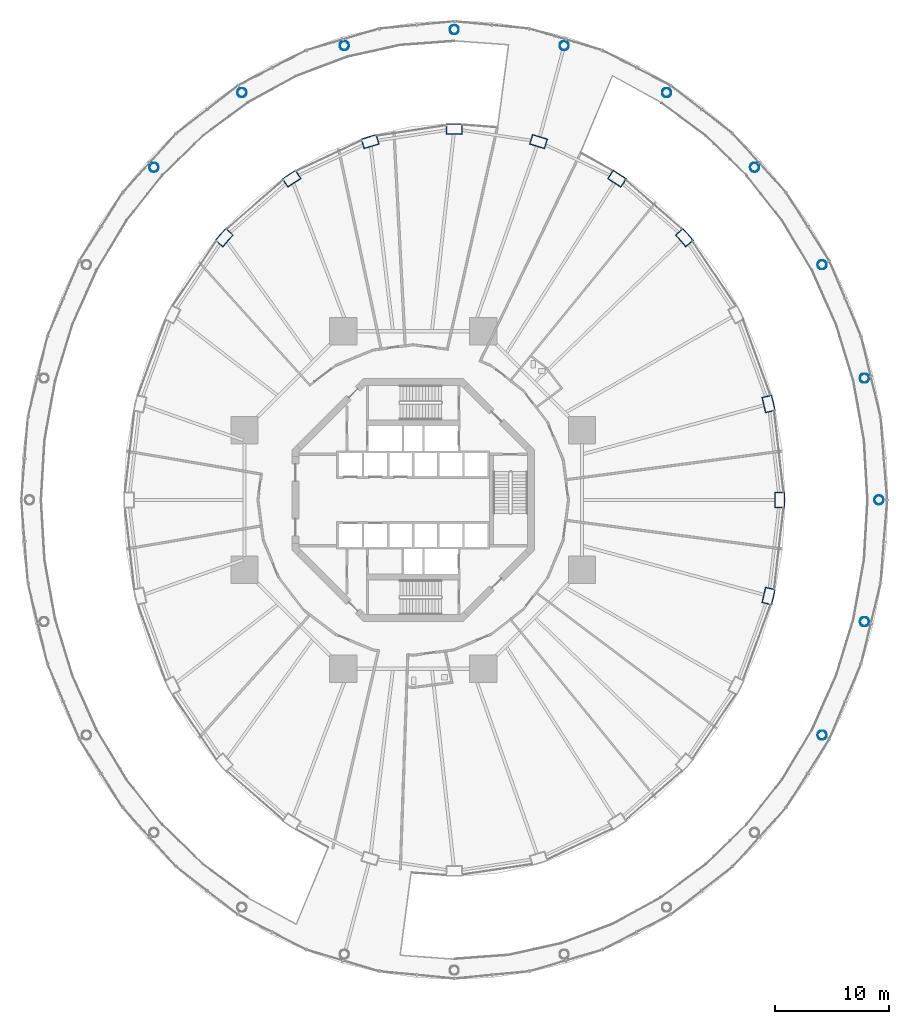
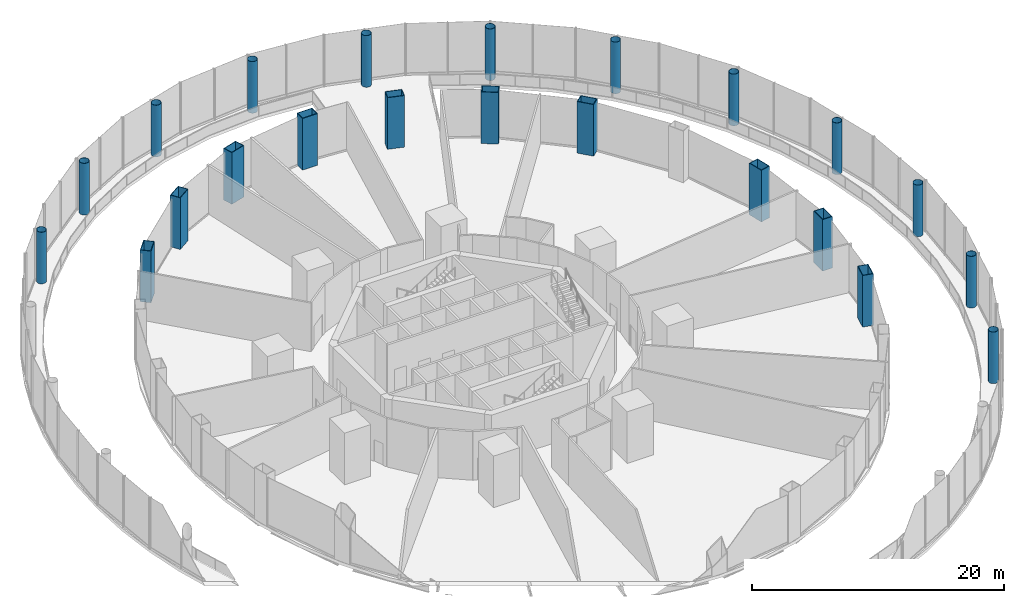
# One storey, part 2 of 47: 22 columns.
"""IFC4 building model written with IfcOpenShell, lengths in metres."""

from ifc_helpers import new_model, si_unit, direction, frame, origin, origin_2d, place, context, subcontext, project, spatial, hollow_rectangle, hollow_circle, extrude, material, material_profile, profile_set, type_object, element, save


model = new_model("IFC4")

# Units and contexts
model_context = context("Model", 3, precision=1e-05, world=origin(), true_north=direction((0.0, 1.0)))
body_context = subcontext(model_context, "Body", "Model", "MODEL_VIEW")
ifc_project = project(units=[si_unit("LENGTHUNIT", "METRE"), si_unit("AREAUNIT", "SQUARE_METRE"), si_unit("VOLUMEUNIT", "CUBIC_METRE"), si_unit("PLANEANGLEUNIT", "RADIAN"), si_unit("MASSUNIT", "GRAM", prefix="KILO")], contexts=[model_context])

# Site, building, storey
site_placement = place(None, origin())
site = spatial("IfcSite", under=ifc_project, at=site_placement, CompositionType="ELEMENT")
building_placement = place(site_placement, origin())
building = spatial("IfcBuilding", under=site, at=building_placement, Name="Nagisa Residences", CompositionType="ELEMENT")
storey_placement = place(building_placement, frame((0.0, 0.0, 17.0)))
storey = spatial("IfcBuildingStorey", under=building, at=storey_placement, Name="L03", CompositionType="ELEMENT", Elevation=17.0)

# Columns
ifc_material_1 = material(Name="Steel ASTM A572 Gr 65", Category="steel")
ifc_material_profile_1 = material_profile(ifc_material_1, hollow_circle(Radius=0.406494140625, WallThickness=0.02490234375, at=origin_2d()), Name="CHS 813x25")
ifc_profile_set_1 = profile_set([ifc_material_profile_1], Name="Steel ASTM A572 Gr 65")
column_type_1 = type_object("IfcColumnType", Name="Atrium column CHS 813x25", PredefinedType="COLUMN", material=ifc_profile_set_1)
for number, where, z_axis, x_axis, name in (
    (1, (40.800048828125, 0.0, 0.0), (0.0, 0.0, 1.0), (1.0, 0.0, 0.0), "col:L03:a00"),
    (2, (39.532470703125, 10.663330078125, 0.0), (0.0, 0.0, 1.0), (1.0, 0.0, 0.0), "col:L03:a01"),
    (3, (35.816162109375, 20.60009765625, 0.0), (0.0, 0.0, 1.0), (1.0, 0.0, 0.0), "col:L03:a02"),
    (4, (29.904296875, 29.1328125, 0.0), (0.0, 0.0, 1.0), (1.0, 0.0, 0.0), "col:L03:a03"),
    (5, (22.199951171875, 35.68017578125, 0.0), (0.0, 0.0, 1.0), (1.0, 0.0, 0.0), "col:L03:a04"),
    (6, (13.22802734375, 39.796142578125, 0.0), (0.0, 0.0, 1.0), (1.0, 0.0, 0.0), "col:L03:a05"),
    (7, (3.60009765625, 41.199951171875, 0.0), (0.0, 0.0, 1.0), (1.0, 0.0, 0.0), "col:L03:a06"),
    (8, (-6.028076171875, 39.796142578125, 0.0), (0.0, 0.0, 1.0), (1.0, 0.0, 0.0), "col:L03:a07"),
    (9, (-15.0, 35.68017578125, 0.0), (0.0, 0.0, 1.0), (1.0, 0.0, 0.0), "col:L03:a08"),
    (10, (-22.704345703125, 29.1328125, 0.0), (0.0, 0.0, 1.0), (1.0, 0.0, 0.0), "col:L03:a09"),
    (11, (35.816162109375, -20.60009765625, 0.0), (0.0, 0.0, 1.0), (1.0, 0.0, 0.0), "col:L03:a22"),
    (12, (39.532470703125, -10.663330078125, 0.0), (0.0, 0.0, 1.0), (1.0, 0.0, 0.0), "col:L03:a23"),
):
    element("IfcColumn", number, at=place(storey_placement, frame(where, z_axis=z_axis, x_axis=x_axis)), inside=storey, type_object=column_type_1, Name=name, PredefinedType="COLUMN", context=body_context, shape_type="SweptSolid", body=[
        extrude(hollow_circle(Radius=0.406494140625, WallThickness=0.02490234375, at=origin_2d()), origin(), (0.0, 0.0, 1.0), 5.0),
    ])
ifc_material_2 = material(Name="Steel ASTM A572 Gr 50", Category="steel")
ifc_material_profile_2 = material_profile(ifc_material_2, hollow_rectangle(XDim=1.39990234375, YDim=0.89990234375, WallThickness=0.050048828125, at=origin_2d()), Name="BX 1400x900x50")
ifc_profile_set_2 = profile_set([ifc_material_profile_2], Name="Steel ASTM A572 Gr 50")
column_type_2 = type_object("IfcColumnType", Name="Perimeter column BX 1400x900x50", PredefinedType="COLUMN", material=ifc_profile_set_2)
for number, where, z_axis, x_axis, name in (
    (13, (32.10009765625, 0.0, 0.0), (0.0, 0.0, 1.0), (0.0, 1.0, 0.0), "col:L03:p00"),
    (14, (31.12890625, 8.41162109375, 0.0), (0.0, 0.0, 1.0), (-0.229202013103, 0.973378876486, 0.0), "col:L03:p01"),
    (15, (23.75244140625, 22.98095703125, 0.0), (0.0, 0.0, 1.0), (-0.660114607735, 0.751164898445, 0.0), "col:L03:p03"),
    (16, (17.85009765625, 28.145751953125, 0.0), (0.0, 0.0, 1.0), (-0.835766105673, 0.54908561865, 0.0), "col:L03:p04"),
    (17, (10.976318359375, 31.392578125, 0.0), (0.0, 0.0, 1.0), (-0.956524583408, 0.291651712384, 0.0), "col:L03:p05"),
    (18, (3.60009765625, 32.5, 0.0), (0.0, 0.0, 1.0), (-1.0, 0.0, 0.0), "col:L03:p06"),
    (19, (-3.7763671875, 31.392578125, 0.0), (0.0, 0.0, 1.0), (-0.956524583408, -0.291651712384, 0.0), "col:L03:p07"),
    (20, (-10.64990234375, 28.145751953125, 0.0), (0.0, 0.0, 1.0), (-0.835766105673, -0.54908561865, 0.0), "col:L03:p08"),
    (21, (-16.552490234375, 22.98095703125, 0.0), (0.0, 0.0, 1.0), (-0.660114607735, -0.751164898445, 0.0), "col:L03:p09"),
    (22, (31.12890625, -8.41162109375, 0.0), (0.0, 0.0, 1.0), (0.229202013103, 0.973378876486, 0.0), "col:L03:p23"),
):
    element("IfcColumn", number, at=place(storey_placement, frame(where, z_axis=z_axis, x_axis=x_axis)), inside=storey, type_object=column_type_2, Name=name, PredefinedType="COLUMN", context=body_context, shape_type="SweptSolid", body=[
        extrude(hollow_rectangle(XDim=1.39990234375, YDim=0.89990234375, WallThickness=0.050048828125, at=origin_2d()), origin(), (0.0, 0.0, 1.0), 5.0),
    ])

save(model, "model.ifc")
